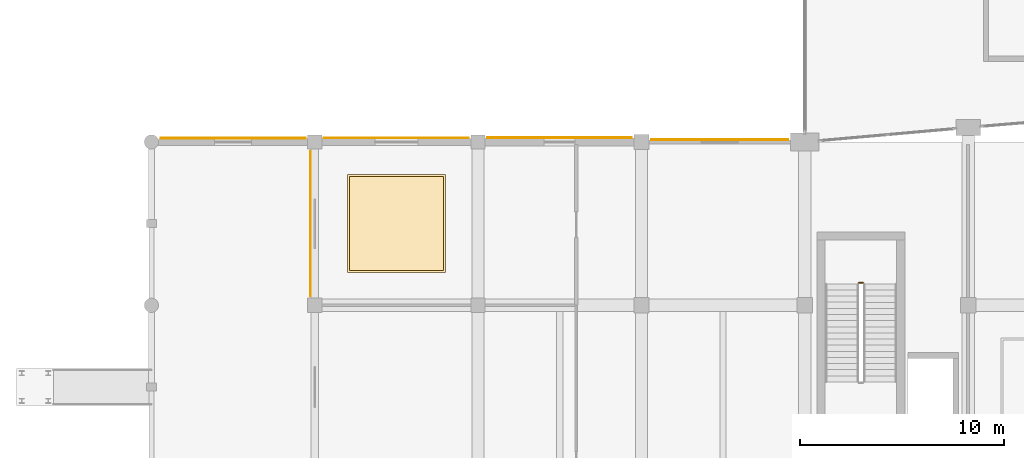
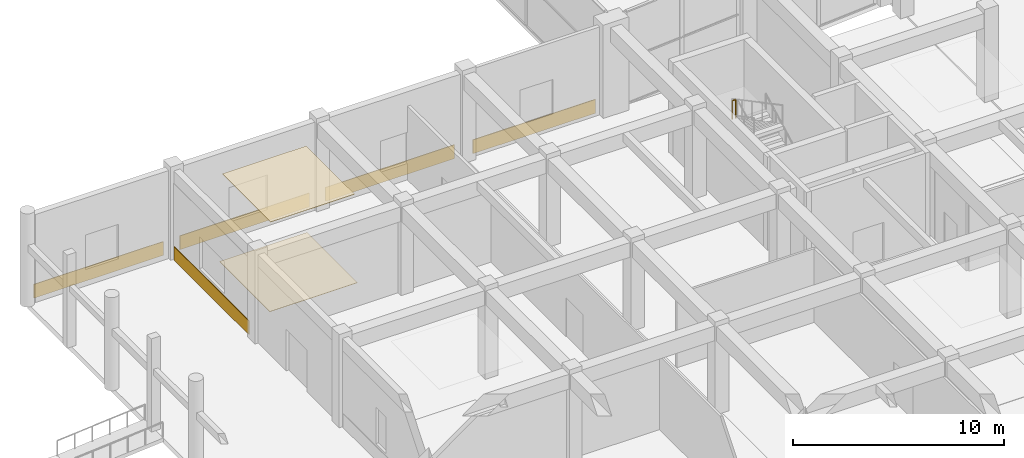
# One storey, part 74 of 86: 7 coverings, 1 railing.
"""IFC4 building model written with IfcOpenShell, lengths in metres."""

from ifc_helpers import new_model, si_unit, direction, frame, origin, origin_2d, place, context, subcontext, project, spatial, rectangle, circle, extrude, material, layer, layer_set, type_object, element, save


model = new_model("IFC4")

# Units and contexts
model_context = context("Model", 3, precision=1e-05, world=origin(), true_north=direction((0.0, 1.0)))
body_context = subcontext(model_context, "Body", "Model", "MODEL_VIEW")
ifc_project = project(units=[si_unit("LENGTHUNIT", "METRE"), si_unit("AREAUNIT", "SQUARE_METRE"), si_unit("VOLUMEUNIT", "CUBIC_METRE"), si_unit("PLANEANGLEUNIT", "RADIAN"), si_unit("MASSUNIT", "GRAM", prefix="KILO")], contexts=[model_context])

# Site, building, storey
site_placement = place(None, origin())
site = spatial("IfcSite", under=ifc_project, at=site_placement, CompositionType="ELEMENT")
building_placement = place(site_placement, origin())
building = spatial("IfcBuilding", under=site, at=building_placement, Name="Kenh Van Central Station", CompositionType="ELEMENT")
storey_placement = place(building_placement, origin())
storey = spatial("IfcBuildingStorey", under=building, at=storey_placement, Name="L00", CompositionType="ELEMENT", Elevation=0.0)

# Coverings
ifc_material_1 = material(Name="Perforated acoustic mineral ceiling board")
ifc_layer_1 = layer(ifc_material_1, 0.02490234375, Name="Perforated acoustic mineral ceiling board")
ifc_layer_set_1 = layer_set([ifc_layer_1], Name="Perforated acoustic mineral ceiling board")
covering_type_1 = type_object("IfcCoveringType", Name="COV-CEIL-ACOUST", PredefinedType="CEILING", material=ifc_layer_set_1)
covering_1_placement = place(storey_placement, frame((12.0, 60.0, 5.09716796875), z_axis=(0.0, 0.0, 1.0), x_axis=(1.0, 0.0, 0.0)))
element("IfcCovering", 1, at=covering_1_placement, inside=storey, type_object=covering_type_1, Name="L00 acoustic ceiling panel 022", PredefinedType="CEILING", context=body_context, shape_type="SweptSolid", body=[
    extrude(rectangle(XDim=4.60009765625, YDim=4.60009765625, at=origin_2d()), origin(), (0.0, 0.0, 1.0), 0.02490234375),
])
ifc_material_2 = material(Name="Saigon buff sandstone cladding", Category="masonry")
ifc_layer_2 = layer(ifc_material_2, 0.0400390625, Name="Saigon buff sandstone cladding")
ifc_layer_set_2 = layer_set([ifc_layer_2], Name="Saigon buff sandstone cladding")
covering_type_2 = type_object("IfcCoveringType", Name="COV-CLAD-BUFF", PredefinedType="CLADDING", material=ifc_layer_set_2)
covering_2_placement = place(storey_placement, frame((7.794921875, 60.0, 0.02001953125), z_axis=(0.0, 0.0, 1.0), x_axis=(0.0, -1.0, 0.0)))
element("IfcCovering", 2, at=covering_2_placement, inside=storey, type_object=covering_type_2, Name="L00 facade cladding 005", PredefinedType="CLADDING", context=body_context, shape_type="SweptSolid", body=[
    extrude(rectangle(XDim=7.10009765625, YDim=0.0400390625, at=origin_2d()), origin(), (0.0, 0.0, 1.0), 0.800048828125),
])
covering_3_placement = place(storey_placement, frame((27.83740234375, 64.112548828125, 0.02001953125), z_axis=(0.0, 0.0, 1.0), x_axis=(-1.0, 0.0, 0.0)))
element("IfcCovering", 3, at=covering_3_placement, inside=storey, type_object=covering_type_2, Name="L00 facade cladding 009", PredefinedType="CLADDING", context=body_context, shape_type="SweptSolid", body=[
    extrude(rectangle(XDim=6.72509765625, YDim=0.0400390625, at=origin_2d()), origin(), (0.0, 0.0, 1.0), 0.800048828125),
])
covering_4_placement = place(storey_placement, frame((12.0, 64.18994140625, 0.02001953125), z_axis=(0.0, 0.0, 1.0), x_axis=(-1.0, 0.0, 0.0)))
element("IfcCovering", 4, at=covering_4_placement, inside=storey, type_object=covering_type_2, Name="L00 facade cladding 011", PredefinedType="CLADDING", context=body_context, shape_type="SweptSolid", body=[
    extrude(rectangle(XDim=7.10009765625, YDim=0.0400390625, at=origin_2d()), origin(), (0.0, 0.0, 1.0), 0.800048828125),
])
ifc_material_3 = material(Name="Glazed terracotta rainscreen cladding", Category="masonry")
ifc_layer_3 = layer(ifc_material_3, 0.034912109375, Name="Glazed terracotta rainscreen cladding")
ifc_layer_set_3 = layer_set([ifc_layer_3], Name="Glazed terracotta rainscreen cladding")
covering_type_3 = type_object("IfcCoveringType", Name="COV-CLAD-TERRA", PredefinedType="CLADDING", material=ifc_layer_set_3)
covering_5_placement = place(storey_placement, frame((19.987548828125, 64.202392578125, 0.02001953125), z_axis=(0.0, 0.0, 1.0), x_axis=(-1.0, 0.0, 0.0)))
element("IfcCovering", 5, at=covering_5_placement, inside=storey, type_object=covering_type_3, Name="L00 facade cladding 010", PredefinedType="CLADDING", context=body_context, shape_type="SweptSolid", body=[
    extrude(rectangle(XDim=7.074951171875, YDim=0.034912109375, at=origin_2d()), origin(), (0.0, 0.0, 1.0), 0.800048828125),
])
covering_6_placement = place(storey_placement, frame((4.0, 64.177490234375, 0.02001953125), z_axis=(0.0, 0.0, 1.0), x_axis=(-1.0, 0.0, 0.0)))
element("IfcCovering", 6, at=covering_6_placement, inside=storey, type_object=covering_type_3, Name="L00 facade cladding 012", PredefinedType="CLADDING", context=body_context, shape_type="SweptSolid", body=[
    extrude(rectangle(XDim=7.10009765625, YDim=0.034912109375, at=origin_2d()), origin(), (0.0, 0.0, 1.0), 0.800048828125),
])
ifc_material_4 = material(Name="Polished station granite terrazzo", Category="masonry")
ifc_layer_4 = layer(ifc_material_4, 0.02001953125, Name="Polished station granite terrazzo")
ifc_layer_set_4 = layer_set([ifc_layer_4], Name="Polished station granite terrazzo")
covering_type_4 = type_object("IfcCoveringType", Name="COV-FLR-GRANITE", PredefinedType="FLOORING", material=ifc_layer_set_4)
covering_7_placement = place(storey_placement, frame((12.0, 60.0, 0.0), z_axis=(0.0, 0.0, 1.0), x_axis=(1.0, 0.0, 0.0)))
element("IfcCovering", 7, at=covering_7_placement, inside=storey, type_object=covering_type_4, Name="L00 granite floor finish 030", PredefinedType="FLOORING", context=body_context, shape_type="SweptSolid", body=[
    extrude(rectangle(XDim=4.800048828125, YDim=4.800048828125, at=origin_2d()), origin(), (0.0, 0.0, 1.0), 0.02001953125),
])

# Railing
ifc_material_5 = material(Name="Champagne anodised aluminium", Category="aluminium")
railing_type = type_object("IfcRailingType", Name="RAIL-CORE-GRD110", PredefinedType="GUARDRAIL", material=ifc_material_5)
railing_placement = place(storey_placement, frame((34.85009765625, 57.10009765625, 2.699951171875)))
element("IfcRailing", 8, at=railing_placement, inside=storey, type_object=railing_type, Name="L00 ST-02 stair guard 2", PredefinedType="GUARDRAIL", context=body_context, shape_type="SweptSolid", body=[
    extrude(circle(Radius=0.02392578125, at=origin_2d()), frame((0.0, 0.0, 1.076171875), z_axis=(-1.0, 0.0, 0.0), x_axis=(0.0, -1.0, 0.0)), (0.0, 0.0, 1.0), 0.2001953125),
    extrude(circle(Radius=0.02099609375, at=origin_2d()), origin(), (0.0, 0.0, 1.0), 1.052001953125),
    extrude(circle(Radius=0.02099609375, at=origin_2d()), frame((-0.2001953125, 0.0, 0.0)), (0.0, 0.0, 1.0), 1.052001953125),
])

save(model, "model.ifc")
